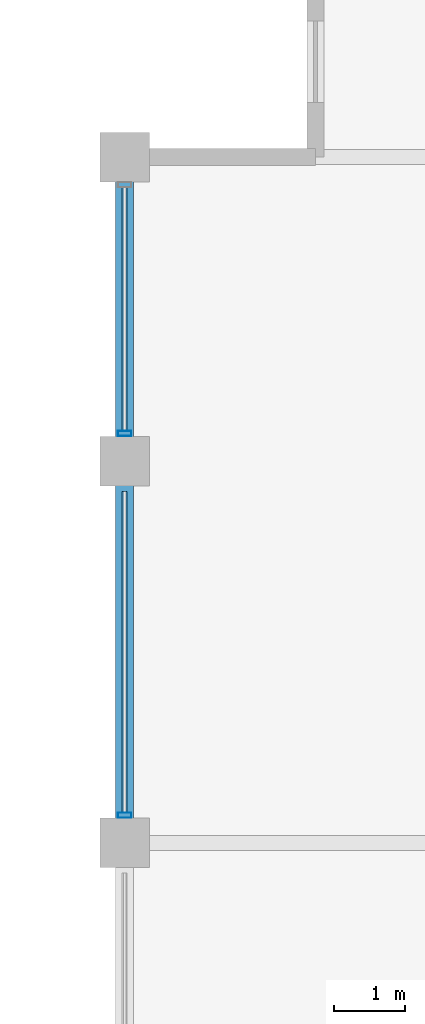
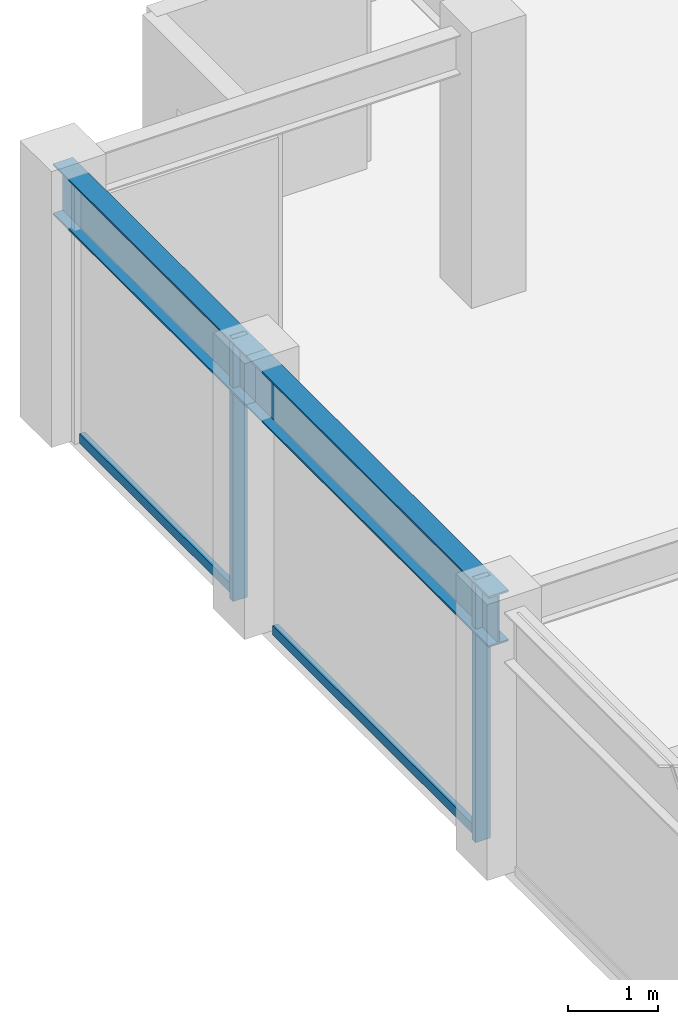
# One storey, part 12 of 29: 4 members, 2 beams, 1 element without a shape of its own.
"""IFC4 building model written with IfcOpenShell, lengths in metres."""

from ifc_helpers import new_model, si_unit, direction, frame, origin, origin_2d, place, context, subcontext, project, spatial, hollow_rectangle, i_section, extrude, material, layer, layer_set, material_profile, profile_set, type_object, element, aggregate, save


model = new_model("IFC4")

# Units and contexts
model_context = context("Model", 3, precision=1e-05, world=origin(), true_north=direction((0.0, 1.0)))
body_context = subcontext(model_context, "Body", "Model", "MODEL_VIEW")
ifc_project = project(units=[si_unit("LENGTHUNIT", "METRE"), si_unit("AREAUNIT", "SQUARE_METRE"), si_unit("VOLUMEUNIT", "CUBIC_METRE"), si_unit("PLANEANGLEUNIT", "RADIAN"), si_unit("MASSUNIT", "GRAM", prefix="KILO")], contexts=[model_context])

# Site, building, storey
site_placement = place(None, origin())
site = spatial("IfcSite", under=ifc_project, at=site_placement, CompositionType="ELEMENT")
building_placement = place(site_placement, origin())
building = spatial("IfcBuilding", under=site, at=building_placement, Name="Surkhivell Harbour Commons", CompositionType="ELEMENT")
storey_placement = place(building_placement, frame((0.0, 0.0, 273.75)))
storey = spatial("IfcBuildingStorey", under=building, at=storey_placement, Name="L71", CompositionType="ELEMENT", Elevation=273.75)

# Beams
ifc_material_1 = material(Name="Steel S355", Category="steel")
ifc_material_profile_1 = material_profile(ifc_material_1, i_section(OverallWidth=0.256103515625, OverallDepth=0.693115234375, WebThickness=0.014404296875, FlangeThickness=0.023681640625, at=origin_2d()), Name="UB686x254x170")
ifc_profile_set_1 = profile_set([ifc_material_profile_1], Name="Steel S355")
beam_type = type_object("IfcBeamType", Name="BM-SPN-686", PredefinedType="SPANDREL", material=ifc_profile_set_1)
beam_1_placement = place(storey_placement, frame((-27.0, 10.800048828125, 3.223388671875), z_axis=(0.0, 1.0, 0.0), x_axis=(-1.0, 0.0, 0.0)))
element("IfcBeam", 1, at=beam_1_placement, inside=storey, type_object=beam_type, Name="L71 Tube Spandrel (-27.0,10.8)", PredefinedType="SPANDREL", context=body_context, shape_type="SweptSolid", body=[
    extrude(i_section(OverallWidth=0.256103515625, OverallDepth=0.693115234375, WebThickness=0.014404296875, FlangeThickness=0.023681640625, at=origin_2d()), origin(), (0.0, 0.0, 1.0), 5.39990234375),
])
beam_2_placement = place(storey_placement, frame((-27.0, 16.199951171875, 3.223388671875), z_axis=(0.0, 1.0, 0.0), x_axis=(-1.0, 0.0, 0.0)))
element("IfcBeam", 2, at=beam_2_placement, inside=storey, type_object=beam_type, Name="L71 Tube Spandrel (-27.0,16.2)", PredefinedType="SPANDREL", context=body_context, shape_type="SweptSolid", body=[
    extrude(i_section(OverallWidth=0.256103515625, OverallDepth=0.693115234375, WebThickness=0.014404296875, FlangeThickness=0.023681640625, at=origin_2d()), origin(), (0.0, 0.0, 1.0), 4.300048828125),
])

# Curtain wall, members
ifc_material_2 = material(Name="Anodised pale-metal aluminium and insulated glazing", Category="aluminium")
ifc_layer = layer(ifc_material_2, 0.175048828125)
ifc_layer_set = layer_set([ifc_layer], Name="Anodised pale-metal aluminium and insulated glazing")
curtain_wall_type = type_object("IfcCurtainWallType", Name="CW-SYS-Z4", PredefinedType="NOTDEFINED", material=ifc_layer_set)
curtain_wall_placement = place(storey_placement, origin())
curtain_wall = element("IfcCurtainWall", 3, at=curtain_wall_placement, inside=storey, type_object=curtain_wall_type, Name="L71 Curtain Wall CW-L71-E12R2", PredefinedType="NOTDEFINED")
ifc_material_3 = material(Name="Anodised pale-metal aluminium alloy 6063-T6", Category="aluminium")
ifc_material_profile_2 = material_profile(ifc_material_3, hollow_rectangle(XDim=0.074951171875, YDim=0.18994140625, WallThickness=0.00390625, at=origin_2d()), Name="ALU-MULL-75x190")
ifc_profile_set_2 = profile_set([ifc_material_profile_2], Name="Anodised pale-metal aluminium alloy 6063-T6")
member_type_1 = type_object("IfcMemberType", Name="CWM-190", PredefinedType="MULLION", material=ifc_profile_set_2)
member_1_placement = place(storey_placement, frame((-27.0, 11.189453125, 0.0), z_axis=(0.0, 0.0, 1.0), x_axis=(0.0, 1.0, 0.0)))
member_1 = element("IfcMember", 4, at=member_1_placement, type_object=member_type_1, Name="CW-Z4 mullion 2", PredefinedType="MULLION", context=body_context, shape_type="SweptSolid", body=[
    extrude(hollow_rectangle(XDim=0.074951171875, YDim=0.18994140625, WallThickness=0.00390625, at=origin_2d()), origin(), (0.0, 0.0, 1.0), 3.570068359375),
])
member_2_placement = place(storey_placement, frame((-27.0, 16.589599609375, 0.0), z_axis=(0.0, 0.0, 1.0), x_axis=(0.0, 1.0, 0.0)))
member_2 = element("IfcMember", 5, at=member_2_placement, type_object=member_type_1, Name="CW-Z4 mullion 3", PredefinedType="MULLION", context=body_context, shape_type="SweptSolid", body=[
    extrude(hollow_rectangle(XDim=0.074951171875, YDim=0.18994140625, WallThickness=0.00390625, at=origin_2d()), origin(), (0.0, 0.0, 1.0), 3.570068359375),
])
ifc_material_4 = material(Name="Champagne anodised aluminium alloy 6063-T6", Category="aluminium")
ifc_material_profile_3 = material_profile(ifc_material_4, hollow_rectangle(XDim=0.070068359375, YDim=0.1298828125, WallThickness=0.00341796875, at=origin_2d()), Name="ALU-TRAN-70x130")
ifc_profile_set_3 = profile_set([ifc_material_profile_3], Name="Champagne anodised aluminium alloy 6063-T6")
member_type_2 = type_object("IfcMemberType", Name="CWT-130", PredefinedType="USERDEFINED", material=ifc_profile_set_3)
member_3_placement = place(storey_placement, frame((-27.0, 11.22705078125, 0.06494140625), z_axis=(0.0, 1.0, 0.0), x_axis=(-1.0, 0.0, 0.0)))
member_3 = element("IfcMember", 6, at=member_3_placement, type_object=member_type_2, Name="CW-Z4 transom 2.1", ObjectType="TRANSOM", PredefinedType="USERDEFINED", context=body_context, shape_type="SweptSolid", body=[
    extrude(hollow_rectangle(XDim=0.070068359375, YDim=0.1298828125, WallThickness=0.00341796875, at=origin_2d()), origin(), (0.0, 0.0, 1.0), 4.5458984375),
])
member_4_placement = place(storey_placement, frame((-27.0, 16.626953125, 0.06494140625), z_axis=(0.0, 1.0, 0.0), x_axis=(-1.0, 0.0, 0.0)))
member_4 = element("IfcMember", 7, at=member_4_placement, type_object=member_type_2, Name="CW-Z4 transom 3.1", ObjectType="TRANSOM", PredefinedType="USERDEFINED", context=body_context, shape_type="SweptSolid", body=[
    extrude(hollow_rectangle(XDim=0.070068359375, YDim=0.1298828125, WallThickness=0.00341796875, at=origin_2d()), origin(), (0.0, 0.0, 1.0), 3.446044921875),
])
aggregate(curtain_wall, [member_1, member_3, member_2, member_4])

save(model, "model.ifc")
